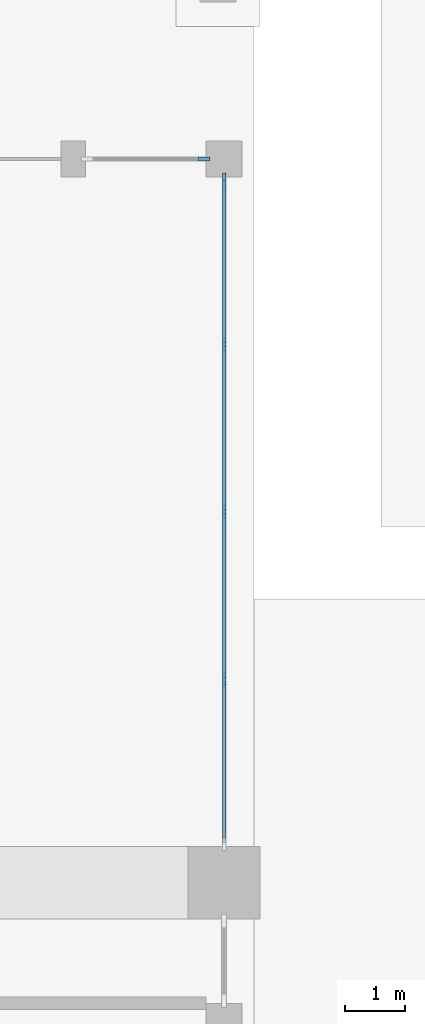
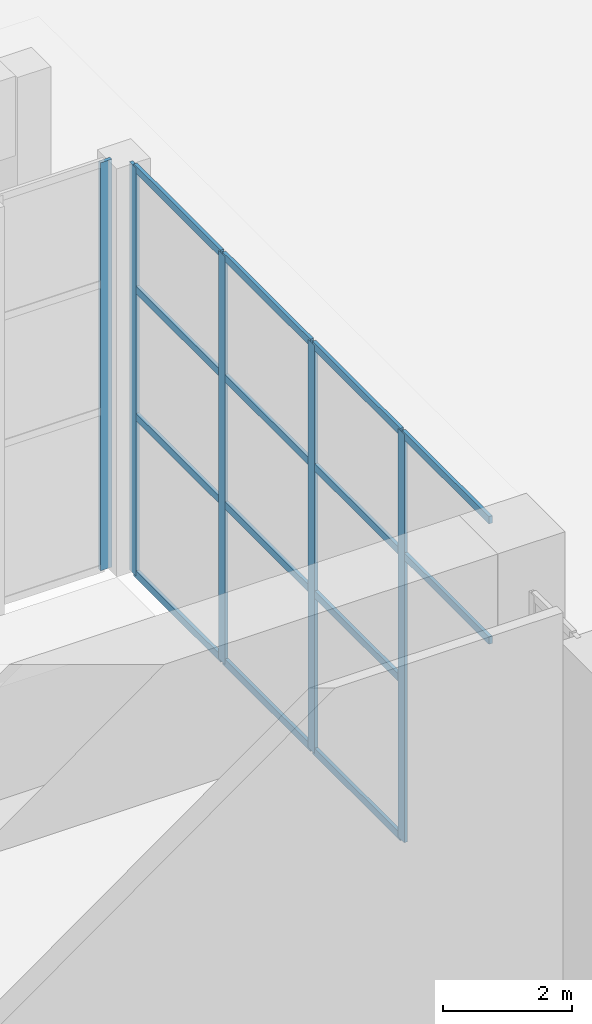
# One storey, part 15 of 57: 19 members, 2 elements without a shape of their own.
"""IFC4 building model written with IfcOpenShell, lengths in metres."""

from ifc_helpers import new_model, si_unit, direction, frame, origin, origin_2d, place, context, subcontext, project, spatial, rectangle, extrude, material, layer, layer_set, material_profile, profile_set, type_object, element, aggregate, save


model = new_model("IFC4")

# Units and contexts
model_context = context("Model", 3, precision=1e-05, world=origin(), true_north=direction((0.0, 1.0)))
body_context = subcontext(model_context, "Body", "Model", "MODEL_VIEW")
ifc_project = project(units=[si_unit("LENGTHUNIT", "METRE"), si_unit("AREAUNIT", "SQUARE_METRE"), si_unit("VOLUMEUNIT", "CUBIC_METRE"), si_unit("PLANEANGLEUNIT", "RADIAN"), si_unit("MASSUNIT", "GRAM", prefix="KILO")], contexts=[model_context])

# Site, building, storey
site_placement = place(None, origin())
site = spatial("IfcSite", under=ifc_project, at=site_placement, CompositionType="ELEMENT")
building_placement = place(site_placement, origin())
building = spatial("IfcBuilding", under=site, at=building_placement, Name="Tamorin Gate", CompositionType="ELEMENT")
storey_placement = place(building_placement, origin())
storey = spatial("IfcBuildingStorey", under=building, at=storey_placement, Name="L00", CompositionType="ELEMENT", Elevation=0.0)

# Curtain wall, member
ifc_material_1 = material(Name="Aluminium and glass", Category="aluminium")
ifc_layer = layer(ifc_material_1, 0.199951171875)
ifc_layer_set = layer_set([ifc_layer], Name="Station pavilion glazing system")
curtain_wall_type = type_object("IfcCurtainWallType", Name="Station pavilion glazing system", PredefinedType="NOTDEFINED", material=ifc_layer_set)
curtain_wall_1_placement = place(storey_placement, origin())
curtain_wall_1 = element("IfcCurtainWall", 1, at=curtain_wall_1_placement, inside=storey, type_object=curtain_wall_type, Name="Station pavilion glazing system L00", PredefinedType="NOTDEFINED")
ifc_material_2 = material(Name="Aluminium", Category="aluminium")
ifc_material_profile_1 = material_profile(ifc_material_2, rectangle(XDim=0.06005859375, YDim=0.199951171875, at=origin_2d()), Name="RECT 60x200")
ifc_profile_set_1 = profile_set([ifc_material_profile_1], Name="Aluminium")
member_type_1 = type_object("IfcMemberType", Name="Pavilion mullion 60x200", PredefinedType="MULLION", material=ifc_profile_set_1)
member_1_placement = place(storey_placement, frame((111.669921875, 124.0, 0.0), z_axis=(0.0, 0.0, 1.0), x_axis=(0.0, 1.0, 0.0)))
member_1 = element("IfcMember", 2, at=member_1_placement, type_object=member_type_1, Name="CWP12 mullion 2", PredefinedType="MULLION", context=body_context, shape_type="SweptSolid", body=[
    extrude(rectangle(XDim=0.06005859375, YDim=0.199951171875, at=origin_2d()), origin(), (0.0, 0.0, 1.0), 7.699951171875),
])
aggregate(curtain_wall_1, [member_1])

# Curtain wall, members
curtain_wall_2_placement = place(storey_placement, origin())
curtain_wall_2 = element("IfcCurtainWall", 3, at=curtain_wall_2_placement, inside=storey, type_object=curtain_wall_type, Name="Station pavilion glazing system L00", PredefinedType="NOTDEFINED")
member_2_placement = place(storey_placement, frame((112.0, 115.375, 0.0), z_axis=(0.0, 0.0, 1.0), x_axis=(-1.0, 0.0, 0.0)))
member_2 = element("IfcMember", 4, at=member_2_placement, type_object=member_type_1, Name="CWP12 mullion 2", PredefinedType="MULLION", context=body_context, shape_type="SweptSolid", body=[
    extrude(rectangle(XDim=0.06005859375, YDim=0.199951171875, at=origin_2d()), origin(), (0.0, 0.0, 1.0), 7.699951171875),
])
member_3_placement = place(storey_placement, frame((112.0, 118.14990234375, 0.0), z_axis=(0.0, 0.0, 1.0), x_axis=(-1.0, 0.0, 0.0)))
member_3 = element("IfcMember", 5, at=member_3_placement, type_object=member_type_1, Name="CWP12 mullion 3", PredefinedType="MULLION", context=body_context, shape_type="SweptSolid", body=[
    extrude(rectangle(XDim=0.06005859375, YDim=0.199951171875, at=origin_2d()), origin(), (0.0, 0.0, 1.0), 7.699951171875),
])
member_4_placement = place(storey_placement, frame((112.0, 120.925048828125, 0.0), z_axis=(0.0, 0.0, 1.0), x_axis=(-1.0, 0.0, 0.0)))
member_4 = element("IfcMember", 6, at=member_4_placement, type_object=member_type_1, Name="CWP12 mullion 4", PredefinedType="MULLION", context=body_context, shape_type="SweptSolid", body=[
    extrude(rectangle(XDim=0.06005859375, YDim=0.199951171875, at=origin_2d()), origin(), (0.0, 0.0, 1.0), 7.699951171875),
])
member_5_placement = place(storey_placement, frame((112.0, 123.669921875, 0.0), z_axis=(0.0, 0.0, 1.0), x_axis=(-1.0, 0.0, 0.0)))
member_5 = element("IfcMember", 7, at=member_5_placement, type_object=member_type_1, Name="CWP12 mullion 5", PredefinedType="MULLION", context=body_context, shape_type="SweptSolid", body=[
    extrude(rectangle(XDim=0.06005859375, YDim=0.199951171875, at=origin_2d()), origin(), (0.0, 0.0, 1.0), 7.699951171875),
])
ifc_material_profile_2 = material_profile(ifc_material_2, rectangle(XDim=0.06005859375, YDim=0.139892578125, at=origin_2d()), Name="RECT 60x140")
ifc_profile_set_2 = profile_set([ifc_material_profile_2], Name="Aluminium")
member_type_2 = type_object("IfcMemberType", Name="Pavilion transom 60x140", PredefinedType="USERDEFINED", material=ifc_profile_set_2)
member_6_placement = place(storey_placement, frame((112.0, 112.659912109375, 5.39990234375), z_axis=(0.0, 1.0, 0.0), x_axis=(-1.0, 0.0, 0.0)))
member_6 = element("IfcMember", 8, at=member_6_placement, type_object=member_type_2, Name="CWP12 transom 1.3", ObjectType="TRANSOM", PredefinedType="USERDEFINED", context=body_context, shape_type="SweptSolid", body=[
    extrude(rectangle(XDim=0.06005859375, YDim=0.139892578125, at=origin_2d()), origin(), (0.0, 0.0, 1.0), 2.68505859375),
])
member_7_placement = place(storey_placement, frame((112.0, 112.659912109375, 7.669921875), z_axis=(0.0, 1.0, 0.0), x_axis=(-1.0, 0.0, 0.0)))
member_7 = element("IfcMember", 9, at=member_7_placement, type_object=member_type_2, Name="CWP12 transom 1.4", ObjectType="TRANSOM", PredefinedType="USERDEFINED", context=body_context, shape_type="SweptSolid", body=[
    extrude(rectangle(XDim=0.06005859375, YDim=0.139892578125, at=origin_2d()), origin(), (0.0, 0.0, 1.0), 2.68505859375),
])
member_8_placement = place(storey_placement, frame((112.0, 115.405029296875, 0.030029296875), z_axis=(0.0, 1.0, 0.0), x_axis=(-1.0, 0.0, 0.0)))
member_8 = element("IfcMember", 10, at=member_8_placement, type_object=member_type_2, Name="CWP12 transom 2.1", ObjectType="TRANSOM", PredefinedType="USERDEFINED", context=body_context, shape_type="SweptSolid", body=[
    extrude(rectangle(XDim=0.06005859375, YDim=0.139892578125, at=origin_2d()), origin(), (0.0, 0.0, 1.0), 2.715087890625),
])
member_9_placement = place(storey_placement, frame((112.0, 115.405029296875, 3.0), z_axis=(0.0, 1.0, 0.0), x_axis=(-1.0, 0.0, 0.0)))
member_9 = element("IfcMember", 11, at=member_9_placement, type_object=member_type_2, Name="CWP12 transom 2.2", ObjectType="TRANSOM", PredefinedType="USERDEFINED", context=body_context, shape_type="SweptSolid", body=[
    extrude(rectangle(XDim=0.06005859375, YDim=0.139892578125, at=origin_2d()), origin(), (0.0, 0.0, 1.0), 2.715087890625),
])
member_10_placement = place(storey_placement, frame((112.0, 115.405029296875, 5.39990234375), z_axis=(0.0, 1.0, 0.0), x_axis=(-1.0, 0.0, 0.0)))
member_10 = element("IfcMember", 12, at=member_10_placement, type_object=member_type_2, Name="CWP12 transom 2.3", ObjectType="TRANSOM", PredefinedType="USERDEFINED", context=body_context, shape_type="SweptSolid", body=[
    extrude(rectangle(XDim=0.06005859375, YDim=0.139892578125, at=origin_2d()), origin(), (0.0, 0.0, 1.0), 2.715087890625),
])
member_11_placement = place(storey_placement, frame((112.0, 115.405029296875, 7.669921875), z_axis=(0.0, 1.0, 0.0), x_axis=(-1.0, 0.0, 0.0)))
member_11 = element("IfcMember", 13, at=member_11_placement, type_object=member_type_2, Name="CWP12 transom 2.4", ObjectType="TRANSOM", PredefinedType="USERDEFINED", context=body_context, shape_type="SweptSolid", body=[
    extrude(rectangle(XDim=0.06005859375, YDim=0.139892578125, at=origin_2d()), origin(), (0.0, 0.0, 1.0), 2.715087890625),
])
member_12_placement = place(storey_placement, frame((112.0, 118.179931640625, 0.030029296875), z_axis=(0.0, 1.0, 0.0), x_axis=(-1.0, 0.0, 0.0)))
member_12 = element("IfcMember", 14, at=member_12_placement, type_object=member_type_2, Name="CWP12 transom 3.1", ObjectType="TRANSOM", PredefinedType="USERDEFINED", context=body_context, shape_type="SweptSolid", body=[
    extrude(rectangle(XDim=0.06005859375, YDim=0.139892578125, at=origin_2d()), origin(), (0.0, 0.0, 1.0), 2.715087890625),
])
member_13_placement = place(storey_placement, frame((112.0, 118.179931640625, 3.0), z_axis=(0.0, 1.0, 0.0), x_axis=(-1.0, 0.0, 0.0)))
member_13 = element("IfcMember", 15, at=member_13_placement, type_object=member_type_2, Name="CWP12 transom 3.2", ObjectType="TRANSOM", PredefinedType="USERDEFINED", context=body_context, shape_type="SweptSolid", body=[
    extrude(rectangle(XDim=0.06005859375, YDim=0.139892578125, at=origin_2d()), origin(), (0.0, 0.0, 1.0), 2.715087890625),
])
member_14_placement = place(storey_placement, frame((112.0, 118.179931640625, 5.39990234375), z_axis=(0.0, 1.0, 0.0), x_axis=(-1.0, 0.0, 0.0)))
member_14 = element("IfcMember", 16, at=member_14_placement, type_object=member_type_2, Name="CWP12 transom 3.3", ObjectType="TRANSOM", PredefinedType="USERDEFINED", context=body_context, shape_type="SweptSolid", body=[
    extrude(rectangle(XDim=0.06005859375, YDim=0.139892578125, at=origin_2d()), origin(), (0.0, 0.0, 1.0), 2.715087890625),
])
member_15_placement = place(storey_placement, frame((112.0, 118.179931640625, 7.669921875), z_axis=(0.0, 1.0, 0.0), x_axis=(-1.0, 0.0, 0.0)))
member_15 = element("IfcMember", 17, at=member_15_placement, type_object=member_type_2, Name="CWP12 transom 3.4", ObjectType="TRANSOM", PredefinedType="USERDEFINED", context=body_context, shape_type="SweptSolid", body=[
    extrude(rectangle(XDim=0.06005859375, YDim=0.139892578125, at=origin_2d()), origin(), (0.0, 0.0, 1.0), 2.715087890625),
])
member_16_placement = place(storey_placement, frame((112.0, 120.955078125, 0.030029296875), z_axis=(0.0, 1.0, 0.0), x_axis=(-1.0, 0.0, 0.0)))
member_16 = element("IfcMember", 18, at=member_16_placement, type_object=member_type_2, Name="CWP12 transom 4.1", ObjectType="TRANSOM", PredefinedType="USERDEFINED", context=body_context, shape_type="SweptSolid", body=[
    extrude(rectangle(XDim=0.06005859375, YDim=0.139892578125, at=origin_2d()), origin(), (0.0, 0.0, 1.0), 2.684814453125),
])
member_17_placement = place(storey_placement, frame((112.0, 120.955078125, 3.0), z_axis=(0.0, 1.0, 0.0), x_axis=(-1.0, 0.0, 0.0)))
member_17 = element("IfcMember", 19, at=member_17_placement, type_object=member_type_2, Name="CWP12 transom 4.2", ObjectType="TRANSOM", PredefinedType="USERDEFINED", context=body_context, shape_type="SweptSolid", body=[
    extrude(rectangle(XDim=0.06005859375, YDim=0.139892578125, at=origin_2d()), origin(), (0.0, 0.0, 1.0), 2.684814453125),
])
member_18_placement = place(storey_placement, frame((112.0, 120.955078125, 5.39990234375), z_axis=(0.0, 1.0, 0.0), x_axis=(-1.0, 0.0, 0.0)))
member_18 = element("IfcMember", 20, at=member_18_placement, type_object=member_type_2, Name="CWP12 transom 4.3", ObjectType="TRANSOM", PredefinedType="USERDEFINED", context=body_context, shape_type="SweptSolid", body=[
    extrude(rectangle(XDim=0.06005859375, YDim=0.139892578125, at=origin_2d()), origin(), (0.0, 0.0, 1.0), 2.684814453125),
])
member_19_placement = place(storey_placement, frame((112.0, 120.955078125, 7.669921875), z_axis=(0.0, 1.0, 0.0), x_axis=(-1.0, 0.0, 0.0)))
member_19 = element("IfcMember", 21, at=member_19_placement, type_object=member_type_2, Name="CWP12 transom 4.4", ObjectType="TRANSOM", PredefinedType="USERDEFINED", context=body_context, shape_type="SweptSolid", body=[
    extrude(rectangle(XDim=0.06005859375, YDim=0.139892578125, at=origin_2d()), origin(), (0.0, 0.0, 1.0), 2.684814453125),
])
aggregate(curtain_wall_2, [member_2, member_3, member_4, member_5, member_6, member_7, member_8, member_9, member_10, member_11, member_12, member_13, member_14, member_15, member_16, member_17, member_18, member_19])

save(model, "model.ifc")
